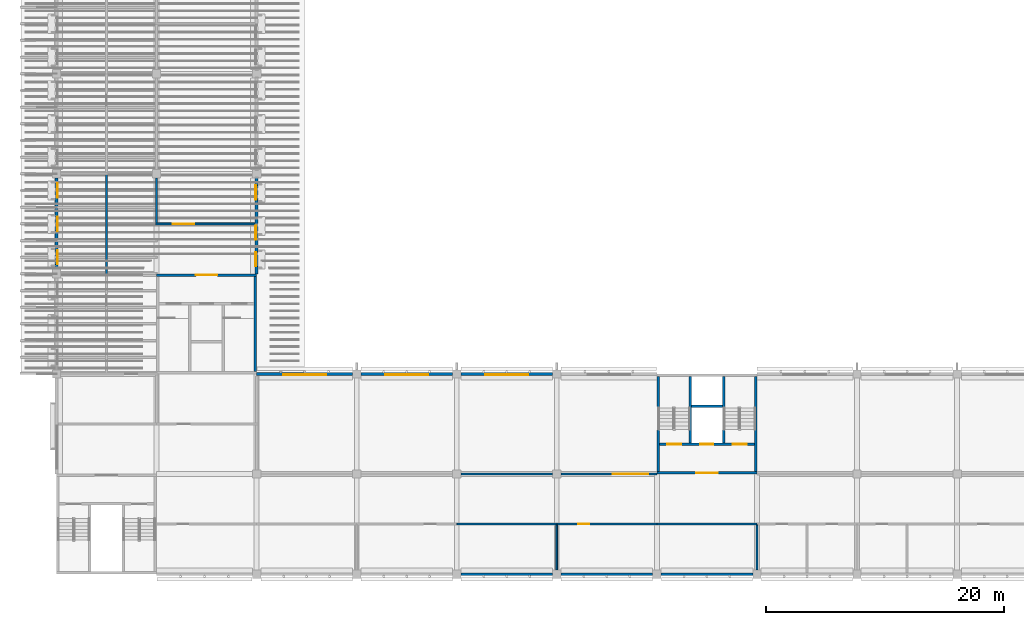
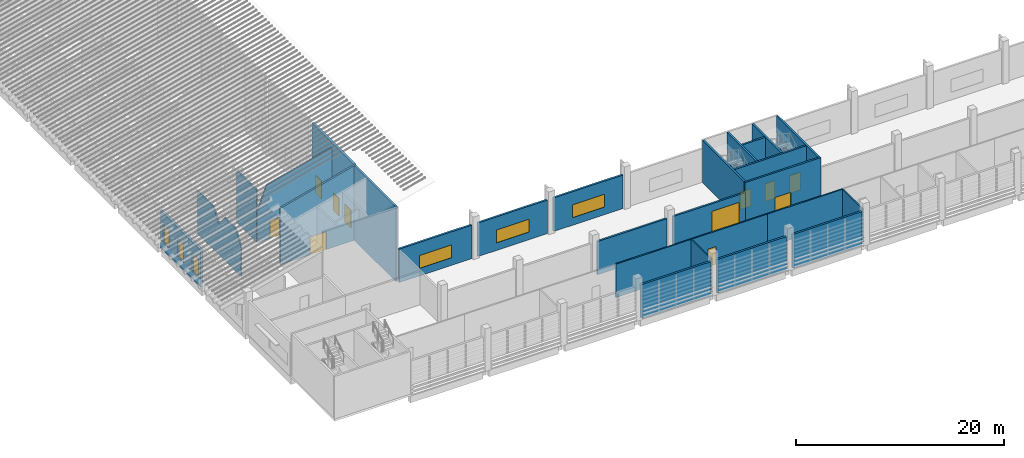
# One storey, part 18 of 82: 27 walls, 9 windows, 8 doors, 17 openings.
"""IFC4 building model written with IfcOpenShell, lengths in metres."""

from ifc_helpers import new_model, si_unit, direction, frame, frame_2d, origin, place, context, subcontext, project, spatial, polyline, rectangle, outline, extrude, material, layer, layer_set, type_object, element, fill, save


model = new_model("IFC4")

# Units and contexts
model_context = context("Model", 3, precision=1e-05, world=origin(), true_north=direction((0.0, 1.0)))
body_context = subcontext(model_context, "Body", "Model", "MODEL_VIEW")
ifc_project = project(units=[si_unit("LENGTHUNIT", "METRE"), si_unit("AREAUNIT", "SQUARE_METRE"), si_unit("VOLUMEUNIT", "CUBIC_METRE"), si_unit("PLANEANGLEUNIT", "RADIAN"), si_unit("MASSUNIT", "GRAM", prefix="KILO")], contexts=[model_context])

# Site, building, storey
site_placement = place(None, origin())
site = spatial("IfcSite", under=ifc_project, at=site_placement, CompositionType="ELEMENT")
building_placement = place(site_placement, origin())
building = spatial("IfcBuilding", under=site, at=building_placement, Name="Almond Square Museum", CompositionType="ELEMENT")
storey_placement = place(building_placement, frame((0.0, 0.0, 20.0)))
storey = spatial("IfcBuildingStorey", under=building, at=storey_placement, Name="L03", CompositionType="ELEMENT", Elevation=20.0)

# Wall
ifc_material_1 = material(Name="Concrete blockwork 200", Category="masonry")
ifc_layer_1 = layer(ifc_material_1, 0.199951171875)
ifc_layer_set_1 = layer_set([ifc_layer_1], Name="Concrete blockwork 200")
wall_type_1 = type_object("IfcWallType", Name="Fire partition 200 blockwork", PredefinedType="PARTITIONING", material=ifc_layer_set_1)
wall_1_placement = place(storey_placement, frame((39.949951171875, 8.39990234375, 0.0), z_axis=(0.0, 0.0, 1.0), x_axis=(1.0, 0.0, 0.0)))
element("IfcWall", 1, at=wall_1_placement, inside=storey, type_object=wall_type_1, Name="L03 partition 63", PredefinedType="PARTITIONING", context=body_context, shape_type="SweptSolid", body=[
    extrude(rectangle(XDim=7.699951171875, YDim=0.199951171875, at=frame_2d((3.85009765625, 0.0))), origin(), (0.0, 0.0, 1.0), 3.89990234375),
])

# Wall, opening, door
wall_2_placement = place(storey_placement, frame((48.35009765625, 8.39990234375, 0.0), z_axis=(0.0, 0.0, 1.0), x_axis=(1.0, 0.0, 0.0)))
wall_2 = element("IfcWall", 2, at=wall_2_placement, inside=storey, type_object=wall_type_1, Name="L03 partition 64", PredefinedType="PARTITIONING", context=body_context, shape_type="SweptSolid", body=[
    extrude(rectangle(XDim=8.0498046875, YDim=0.199951171875, at=frame_2d((4.02490234375, 0.0))), origin(), (0.0, 0.0, 1.0), 3.89990234375),
])
opening_1_placement = place(wall_2_placement, frame((4.324951171875, 0.0, 0.0)))
opening_1 = element("IfcOpeningElement", 3, at=opening_1_placement, cuts=wall_2, Name="Opening D3119", PredefinedType="OPENING", context=body_context, shape_type="SweptSolid", body=[
    extrude(rectangle(XDim=3.0, YDim=3.0, at=frame_2d((1.5, 1.5))), frame((0.0, 0.10986328125, 0.0), z_axis=(0.0, -1.0, 0.0), x_axis=(1.0, 0.0, 0.0)), (0.0, 0.0, 1.0), 0.219970703125),
])
ifc_material_2 = material(Name="Steel", Category="steel")
door_type_1 = type_object("IfcDoorType", Name="Dock door 3000 x 3000 steel double", OperationType="NOTDEFINED", PredefinedType="DOOR", material=ifc_material_2)
door_1_placement = place(opening_1_placement, origin())
door_1 = element("IfcDoor", 4, at=door_1_placement, inside=storey, type_object=door_type_1, Name="L03 door Collection Store 2 to Service Corridor 2", OperationType="DOUBLE_DOOR_SINGLE_SWING", OverallHeight=3.0, OverallWidth=3.0, PredefinedType="DOOR", context=body_context, shape_type="SweptSolid", body=[
    extrude(rectangle(XDim=3.0, YDim=3.0, at=frame_2d((1.5, 1.5))), frame((0.0, 0.02490234375, 0.0), z_axis=(0.0, -1.0, 0.0), x_axis=(1.0, 0.0, 0.0)), (0.0, 0.0, 1.0), 0.050048828125),
])
fill(opening_1, door_1)

# Wall
ifc_material_3 = material(Name="Plasterboard on steel stud", Category="steel")
ifc_layer_2 = layer(ifc_material_3, 0.14990234375)
ifc_layer_set_2 = layer_set([ifc_layer_2], Name="Plasterboard on steel stud")
wall_type_2 = type_object("IfcWallType", Name="Partition 150 plasterboard on steel stud", PredefinedType="PARTITIONING", material=ifc_layer_set_2)
wall_3_placement = place(storey_placement, frame((14.39990234375, 29.47509765625, 0.0), z_axis=(0.0, 0.0, 1.0), x_axis=(0.0, 1.0, 0.0)))
element("IfcWall", 5, at=wall_3_placement, inside=storey, type_object=wall_type_2, Name="L03 partition 37", PredefinedType="PARTITIONING", context=body_context, shape_type="SweptSolid", body=[
    extrude(rectangle(XDim=3.77490234375, YDim=0.14990234375, at=frame_2d((1.887451171875, 0.0))), origin(), (0.0, 0.0, 1.0), 6.10009765625),
])

# Wall, opening, door
wall_4_placement = place(storey_placement, frame((14.324951171875, 29.39990234375, 0.0), z_axis=(0.0, 0.0, 1.0), x_axis=(1.0, 0.0, 0.0)))
wall_4 = element("IfcWall", 6, at=wall_4_placement, inside=storey, type_object=wall_type_2, Name="L03 partition 40", PredefinedType="PARTITIONING", context=body_context, shape_type="SweptSolid", body=[
    extrude(outline(polyline([(0.0, 0.0), (8.324951171875, 0.0), (8.324951171875, 8.220947265625), (7.35009765625, 8.0048828125), (1.050048828125, 6.35498046875), (0.0, 3.56201171875), (0.0, 0.0)])), frame((0.0, 0.074951171875, 0.0), z_axis=(0.0, -1.0, 0.0), x_axis=(1.0, 0.0, 0.0)), (0.0, 0.0, 1.0), 0.14990234375),
])
opening_2_placement = place(wall_4_placement, frame((1.4375, 0.0, 0.0)))
opening_2 = element("IfcOpeningElement", 7, at=opening_2_placement, cuts=wall_4, Name="Opening D3112", PredefinedType="OPENING", context=body_context, shape_type="SweptSolid", body=[
    extrude(rectangle(XDim=1.800048828125, YDim=2.10009765625, at=frame_2d((0.89990234375, 1.050048828125))), frame((0.0, 0.0849609375, 0.0), z_axis=(0.0, -1.0, 0.0), x_axis=(1.0, 0.0, 0.0)), (0.0, 0.0, 1.0), 0.169921875),
])
ifc_material_4 = material(Name="Timber", Category="wood")
door_type_2 = type_object("IfcDoorType", Name="Door 1800 x 2100 timber double", OperationType="NOTDEFINED", PredefinedType="DOOR", material=ifc_material_4)
door_2_placement = place(opening_2_placement, origin())
door_2 = element("IfcDoor", 8, at=door_2_placement, inside=storey, type_object=door_type_2, Name="L03 door Open Plan Staff Office to Wing Corridor", OperationType="DOUBLE_DOOR_SINGLE_SWING", OverallHeight=2.10009765625, OverallWidth=1.800048828125, PredefinedType="DOOR", context=body_context, shape_type="SweptSolid", body=[
    extrude(rectangle(XDim=1.800048828125, YDim=2.10009765625, at=frame_2d((0.89990234375, 1.050048828125))), frame((0.0, 0.02490234375, 0.0), z_axis=(0.0, -1.0, 0.0), x_axis=(1.0, 0.0, 0.0)), (0.0, 0.0, 1.0), 0.050048828125),
])
fill(opening_2, door_2)

# Walls
wall_5_placement = place(storey_placement, frame((10.199951171875, 25.199951171875, 0.0), z_axis=(0.0, 0.0, 1.0), x_axis=(0.0, 1.0, 0.0)))
element("IfcWall", 9, at=wall_5_placement, inside=storey, type_object=wall_type_2, Name="L03 partition 42", PredefinedType="PARTITIONING", context=body_context, shape_type="SweptSolid", body=[
    extrude(outline(polyline([(0.0, 0.0), (8.324951171875, 0.0), (8.324951171875, 5.0), (5.25, 5.0), (4.199951171875, 3.56201171875), (3.14990234375, 5.0), (1.050048828125, 5.0), (0.0, 3.56201171875), (0.0, 0.0)])), frame((0.0, 0.074951171875, 0.0), z_axis=(0.0, -1.0, 0.0), x_axis=(1.0, 0.0, 0.0)), (0.0, 0.0, 1.0), 0.14990234375),
])
wall_6_placement = place(storey_placement, frame((39.60009765625, 4.199951171875, 0.0), z_axis=(0.0, 0.0, 1.0), x_axis=(1.0, 0.0, 0.0)))
element("IfcWall", 10, at=wall_6_placement, inside=storey, type_object=wall_type_2, Name="L03 partition 83", PredefinedType="PARTITIONING", context=body_context, shape_type="SweptSolid", body=[
    extrude(rectangle(XDim=8.39990234375, YDim=0.14990234375, at=frame_2d((4.199951171875, 0.0))), origin(), (0.0, 0.0, 1.0), 3.89990234375),
])

# Wall, opening, door
wall_7_placement = place(storey_placement, frame((48.0, 4.199951171875, 0.0), z_axis=(0.0, 0.0, 1.0), x_axis=(1.0, 0.0, 0.0)))
wall_7 = element("IfcWall", 11, at=wall_7_placement, inside=storey, type_object=wall_type_2, Name="L03 partition 84", PredefinedType="PARTITIONING", context=body_context, shape_type="SweptSolid", body=[
    extrude(rectangle(XDim=8.39990234375, YDim=0.14990234375, at=frame_2d((4.199951171875, 0.0))), origin(), (0.0, 0.0, 1.0), 3.89990234375),
])
opening_3_placement = place(wall_7_placement, frame((1.8125, 0.0, 0.0)))
opening_3 = element("IfcOpeningElement", 12, at=opening_3_placement, cuts=wall_7, Name="Opening D3123", PredefinedType="OPENING", context=body_context, shape_type="SweptSolid", body=[
    extrude(rectangle(XDim=0.89990234375, YDim=2.10009765625, at=frame_2d((0.449951171875, 1.050048828125))), frame((0.0, 0.0849609375, 0.0), z_axis=(0.0, -1.0, 0.0), x_axis=(1.0, 0.0, 0.0)), (0.0, 0.0, 1.0), 0.169921875),
])
ifc_material_5 = material(Name="Timber", Category="wood")
door_type_3 = type_object("IfcDoorType", Name="Door 900 x 2100 timber single", OperationType="NOTDEFINED", PredefinedType="DOOR", material=ifc_material_5)
door_3_placement = place(opening_3_placement, origin())
door_3 = element("IfcDoor", 13, at=door_3_placement, inside=storey, type_object=door_type_3, Name="L03 door Education Office to Service Corridor 2", OperationType="SINGLE_SWING_RIGHT", OverallHeight=2.10009765625, OverallWidth=0.89990234375, PredefinedType="DOOR", context=body_context, shape_type="SweptSolid", body=[
    extrude(rectangle(XDim=0.89990234375, YDim=2.10009765625, at=frame_2d((0.449951171875, 1.050048828125))), frame((0.0, 0.02490234375, 0.0), z_axis=(0.0, -1.0, 0.0), x_axis=(1.0, 0.0, 0.0)), (0.0, 0.0, 1.0), 0.050048828125),
])
fill(opening_3, door_3)

# Walls
wall_8_placement = place(storey_placement, frame((56.39990234375, 4.199951171875, 0.0), z_axis=(0.0, 0.0, 1.0), x_axis=(1.0, 0.0, 0.0)))
element("IfcWall", 14, at=wall_8_placement, inside=storey, type_object=wall_type_2, Name="L03 partition 85", PredefinedType="PARTITIONING", context=body_context, shape_type="SweptSolid", body=[
    extrude(rectangle(XDim=8.400146484375, YDim=0.14990234375, at=frame_2d((4.2001953125, 0.0))), origin(), (0.0, 0.0, 1.0), 3.89990234375),
])
for number, where, z_axis, x_axis, name in (
    (15, (48.0, 0.35009765625, 0.0), (0.0, 0.0, 1.0), (0.0, 1.0, 0.0), "L03 partition 90"),
    (16, (64.800048828125, 0.35009765625, 0.0), (0.0, 0.0, 1.0), (0.0, 1.0, 0.0), "L03 partition 91"),
):
    element("IfcWall", number, at=place(storey_placement, frame(where, z_axis=z_axis, x_axis=x_axis)), inside=storey, type_object=wall_type_2, Name=name, PredefinedType="PARTITIONING", context=body_context, shape_type="SweptSolid", body=[
        extrude(rectangle(XDim=3.77490234375, YDim=0.14990234375, at=frame_2d((1.887451171875, 0.0))), origin(), (0.0, 0.0, 1.0), 3.89990234375),
    ])

# Wall, openings, windows
ifc_material_6 = material(Name="Precast concrete C40/50", Category="concrete")
ifc_layer_3 = layer(ifc_material_6, 0.25)
ifc_layer_set_3 = layer_set([ifc_layer_3], Name="Precast concrete C40/50")
wall_type_3 = type_object("IfcWallType", Name="Precast concrete panel wall 250 with coral limestone piers", PredefinedType="SOLIDWALL", material=ifc_layer_set_3)
wall_9_placement = place(storey_placement, frame((22.800048828125, 25.199951171875, 0.0), z_axis=(0.0, 0.0, 1.0), x_axis=(0.0, 1.0, 0.0)))
wall_9 = element("IfcWall", 17, at=wall_9_placement, inside=storey, type_object=wall_type_3, Name="External wall W2 V4W L03 E01", PredefinedType="SOLIDWALL", context=body_context, shape_type="SweptSolid", body=[
    extrude(rectangle(XDim=8.050048828125, YDim=0.25, at=frame_2d((4.02490234375, 0.0))), origin(), (0.0, 0.0, 1.0), 8.74560546875),
])
opening_4_placement = place(wall_9_placement, frame((0.625, 0.0, 0.89990234375)))
opening_4 = element("IfcOpeningElement", 18, at=opening_4_placement, cuts=wall_9, Name="Opening W3017", PredefinedType="OPENING", context=body_context, shape_type="SweptSolid", body=[
    extrude(rectangle(XDim=1.199951171875, YDim=2.10009765625, at=frame_2d((0.60009765625, 1.050048828125))), frame((0.0, 0.135009765625, 0.0), z_axis=(0.0, -1.0, 0.0), x_axis=(1.0, 0.0, 0.0)), (0.0, 0.0, 1.0), 0.27001953125),
])
opening_5_placement = place(wall_9_placement, frame((2.85009765625, 0.0, 0.89990234375)))
opening_5 = element("IfcOpeningElement", 19, at=opening_5_placement, cuts=wall_9, Name="Opening W3018", PredefinedType="OPENING", context=body_context, shape_type="SweptSolid", body=[
    extrude(rectangle(XDim=1.199951171875, YDim=2.10009765625, at=frame_2d((0.60009765625, 1.050048828125))), frame((0.0, 0.135009765625, 0.0), z_axis=(0.0, -1.0, 0.0), x_axis=(1.0, 0.0, 0.0)), (0.0, 0.0, 1.0), 0.27001953125),
])
opening_6_placement = place(wall_9_placement, frame((6.22509765625, 0.0, 0.89990234375)))
opening_6 = element("IfcOpeningElement", 20, at=opening_6_placement, cuts=wall_9, Name="Opening W3019", PredefinedType="OPENING", context=body_context, shape_type="SweptSolid", body=[
    extrude(rectangle(XDim=1.199951171875, YDim=2.10009765625, at=frame_2d((0.60009765625, 1.050048828125))), frame((0.0, 0.135009765625, 0.0), z_axis=(0.0, -1.0, 0.0), x_axis=(1.0, 0.0, 0.0)), (0.0, 0.0, 1.0), 0.27001953125),
])
ifc_material_7 = material(Name="Anodised aluminium louvre and laminated glass", Category="aluminium")
window_type_1 = type_object("IfcWindowType", Name="Louvred pier window", PartitioningType="SINGLE_PANEL", PredefinedType="WINDOW", material=ifc_material_7)
window_1_placement = place(opening_4_placement, origin())
window_1 = element("IfcWindow", 21, at=window_1_placement, inside=storey, type_object=window_type_1, Name="Louvred pier window W3017", OverallHeight=2.10009765625, OverallWidth=1.199951171875, PartitioningType="SINGLE_PANEL", PredefinedType="WINDOW", context=body_context, shape_type="SweptSolid", body=[
    extrude(rectangle(XDim=1.199951171875, YDim=2.10009765625, at=frame_2d((0.60009765625, 1.050048828125))), frame((0.0, 0.10498046875, 0.0), z_axis=(0.0, -1.0, 0.0), x_axis=(1.0, 0.0, 0.0)), (0.0, 0.0, 1.0), 0.06005859375),
])
fill(opening_4, window_1)
window_2_placement = place(opening_5_placement, origin())
window_2 = element("IfcWindow", 22, at=window_2_placement, inside=storey, type_object=window_type_1, Name="Louvred pier window W3018", OverallHeight=2.10009765625, OverallWidth=1.199951171875, PartitioningType="SINGLE_PANEL", PredefinedType="WINDOW", context=body_context, shape_type="SweptSolid", body=[
    extrude(rectangle(XDim=1.199951171875, YDim=2.10009765625, at=frame_2d((0.60009765625, 1.050048828125))), frame((0.0, 0.10498046875, 0.0), z_axis=(0.0, -1.0, 0.0), x_axis=(1.0, 0.0, 0.0)), (0.0, 0.0, 1.0), 0.06005859375),
])
fill(opening_5, window_2)
window_3_placement = place(opening_6_placement, origin())
window_3 = element("IfcWindow", 23, at=window_3_placement, inside=storey, type_object=window_type_1, Name="Louvred pier window W3019", OverallHeight=2.10009765625, OverallWidth=1.199951171875, PartitioningType="SINGLE_PANEL", PredefinedType="WINDOW", context=body_context, shape_type="SweptSolid", body=[
    extrude(rectangle(XDim=1.199951171875, YDim=2.10009765625, at=frame_2d((0.60009765625, 1.050048828125))), frame((0.0, 0.10498046875, 0.0), z_axis=(0.0, -1.0, 0.0), x_axis=(1.0, 0.0, 0.0)), (0.0, 0.0, 1.0), 0.06005859375),
])
fill(opening_6, window_3)

wall_10_placement = place(storey_placement, frame((6.0, 25.550048828125, 0.0), z_axis=(0.0, 0.0, 1.0), x_axis=(0.0, 1.0, 0.0)))
wall_10 = element("IfcWall", 24, at=wall_10_placement, inside=storey, type_object=wall_type_3, Name="External wall W2 V4W L03 W06", PredefinedType="SOLIDWALL", context=body_context, shape_type="SweptSolid", body=[
    extrude(rectangle(XDim=7.699951171875, YDim=0.25, at=frame_2d((3.85009765625, 0.0))), origin(), (0.0, 0.0, 1.0), 4.345703125),
])
opening_7_placement = place(wall_10_placement, frame((0.449951171875, 0.0, 0.89990234375)))
opening_7 = element("IfcOpeningElement", 25, at=opening_7_placement, cuts=wall_10, Name="Opening W3050", PredefinedType="OPENING", context=body_context, shape_type="SweptSolid", body=[
    extrude(rectangle(XDim=1.199951171875, YDim=2.10009765625, at=frame_2d((0.60009765625, 1.050048828125))), frame((0.0, 0.135009765625, 0.0), z_axis=(0.0, -1.0, 0.0), x_axis=(1.0, 0.0, 0.0)), (0.0, 0.0, 1.0), 0.27001953125),
])
opening_8_placement = place(wall_10_placement, frame((3.25, 0.0, 0.89990234375)))
opening_8 = element("IfcOpeningElement", 26, at=opening_8_placement, cuts=wall_10, Name="Opening W3051", PredefinedType="OPENING", context=body_context, shape_type="SweptSolid", body=[
    extrude(rectangle(XDim=1.199951171875, YDim=2.10009765625, at=frame_2d((0.60009765625, 1.050048828125))), frame((0.0, 0.135009765625, 0.0), z_axis=(0.0, -1.0, 0.0), x_axis=(1.0, 0.0, 0.0)), (0.0, 0.0, 1.0), 0.27001953125),
])
opening_9_placement = place(wall_10_placement, frame((6.050048828125, 0.0, 0.89990234375)))
opening_9 = element("IfcOpeningElement", 27, at=opening_9_placement, cuts=wall_10, Name="Opening W3052", PredefinedType="OPENING", context=body_context, shape_type="SweptSolid", body=[
    extrude(rectangle(XDim=1.199951171875, YDim=2.10009765625, at=frame_2d((0.60009765625, 1.050048828125))), frame((0.0, 0.135009765625, 0.0), z_axis=(0.0, -1.0, 0.0), x_axis=(1.0, 0.0, 0.0)), (0.0, 0.0, 1.0), 0.27001953125),
])
window_4_placement = place(opening_7_placement, origin())
window_4 = element("IfcWindow", 28, at=window_4_placement, inside=storey, type_object=window_type_1, Name="Louvred pier window W3050", OverallHeight=2.10009765625, OverallWidth=1.199951171875, PartitioningType="SINGLE_PANEL", PredefinedType="WINDOW", context=body_context, shape_type="SweptSolid", body=[
    extrude(rectangle(XDim=1.199951171875, YDim=2.10009765625, at=frame_2d((0.60009765625, 1.050048828125))), frame((0.0, -0.044921875, 0.0), z_axis=(0.0, -1.0, 0.0), x_axis=(1.0, 0.0, 0.0)), (0.0, 0.0, 1.0), 0.06005859375),
])
fill(opening_7, window_4)
window_5_placement = place(opening_8_placement, origin())
window_5 = element("IfcWindow", 29, at=window_5_placement, inside=storey, type_object=window_type_1, Name="Louvred pier window W3051", OverallHeight=2.10009765625, OverallWidth=1.199951171875, PartitioningType="SINGLE_PANEL", PredefinedType="WINDOW", context=body_context, shape_type="SweptSolid", body=[
    extrude(rectangle(XDim=1.199951171875, YDim=2.10009765625, at=frame_2d((0.60009765625, 1.050048828125))), frame((0.0, -0.044921875, 0.0), z_axis=(0.0, -1.0, 0.0), x_axis=(1.0, 0.0, 0.0)), (0.0, 0.0, 1.0), 0.06005859375),
])
fill(opening_8, window_5)
window_6_placement = place(opening_9_placement, origin())
window_6 = element("IfcWindow", 30, at=window_6_placement, inside=storey, type_object=window_type_1, Name="Louvred pier window W3052", OverallHeight=2.10009765625, OverallWidth=1.199951171875, PartitioningType="SINGLE_PANEL", PredefinedType="WINDOW", context=body_context, shape_type="SweptSolid", body=[
    extrude(rectangle(XDim=1.199951171875, YDim=2.10009765625, at=frame_2d((0.60009765625, 1.050048828125))), frame((0.0, -0.044921875, 0.0), z_axis=(0.0, -1.0, 0.0), x_axis=(1.0, 0.0, 0.0)), (0.0, 0.0, 1.0), 0.06005859375),
])
fill(opening_9, window_6)

# Wall, opening, door
ifc_material_8 = material(Name="Concrete C40/50", Category="concrete")
ifc_layer_4 = layer(ifc_material_8, 0.199951171875)
ifc_layer_set_4 = layer_set([ifc_layer_4], Name="Concrete C40/50")
wall_type_4 = type_object("IfcWallType", Name="RC shear wall 200 C40/50", PredefinedType="SHEAR", material=ifc_layer_set_4)
wall_11_placement = place(storey_placement, frame((14.39990234375, 25.10009765625, 0.0), z_axis=(0.0, 0.0, 1.0), x_axis=(1.0, 0.0, 0.0)))
wall_11 = element("IfcWall", 31, at=wall_11_placement, inside=storey, type_object=wall_type_4, Name="Core W1 north wall L03", PredefinedType="SHEAR", context=body_context, shape_type="SweptSolid", body=[
    extrude(outline(polyline([(0.0, 0.0), (8.400146484375, 0.0), (8.39990234375, 8.800048828125), (7.531005859375, 8.572021484375), (7.241455078125, 8.4970703125), (5.50341796875, 8.041015625), (5.2138671875, 7.966064453125), (3.186279296875, 7.43408203125), (2.896484375, 7.35888671875), (1.15869140625, 6.903076171875), (0.868896484375, 6.827880859375), (0.0, 6.60009765625), (0.0, 0.0)])), frame((0.0, 0.10009765625, 0.0), z_axis=(0.0, -1.0, 0.0), x_axis=(1.0, 0.0, 0.0)), (0.0, 0.0, 1.0), 0.199951171875),
])
opening_10_placement = place(wall_11_placement, frame((3.300048828125, 0.0, 0.0)))
opening_10 = element("IfcOpeningElement", 32, at=opening_10_placement, cuts=wall_11, Name="Opening D3164", PredefinedType="OPENING", context=body_context, shape_type="SweptSolid", body=[
    extrude(rectangle(XDim=1.800048828125, YDim=2.10009765625, at=frame_2d((0.89990234375, 1.050048828125))), frame((0.0, 0.10986328125, 0.0), z_axis=(0.0, -1.0, 0.0), x_axis=(1.0, 0.0, 0.0)), (0.0, 0.0, 1.0), 0.219970703125),
])
ifc_material_9 = material(Name="Steel", Category="steel")
door_type_4 = type_object("IfcDoorType", Name="Fire door 1800 x 2100 FD60 double", OperationType="NOTDEFINED", PredefinedType="DOOR", material=ifc_material_9)
door_4_placement = place(opening_10_placement, origin())
door_4 = element("IfcDoor", 33, at=door_4_placement, inside=storey, type_object=door_type_4, Name="L03 stair core W1 lobby door", OperationType="DOUBLE_DOOR_SINGLE_SWING", OverallHeight=2.10009765625, OverallWidth=1.800048828125, PredefinedType="DOOR", context=body_context, shape_type="SweptSolid", body=[
    extrude(rectangle(XDim=1.800048828125, YDim=2.10009765625, at=frame_2d((0.89990234375, 1.050048828125))), frame((0.0, 0.02490234375, 0.0), z_axis=(0.0, -1.0, 0.0), x_axis=(1.0, 0.0, 0.0)), (0.0, 0.0, 1.0), 0.050048828125),
])
fill(opening_10, door_4)

# Wall
wall_12_placement = place(storey_placement, frame((22.699951171875, 17.0, 0.0), z_axis=(0.0, 0.0, 1.0), x_axis=(0.0, 1.0, 0.0)))
element("IfcWall", 34, at=wall_12_placement, inside=storey, type_object=wall_type_4, Name="Core W1 east wall L03", PredefinedType="SHEAR", context=body_context, shape_type="SweptSolid", body=[
    extrude(rectangle(XDim=8.0, YDim=0.199951171875, at=frame_2d((4.0, 0.0))), origin(), (0.0, 0.0, 1.0), 8.77490234375),
])

# Wall, opening, door
wall_13_placement = place(storey_placement, frame((56.39990234375, 8.5, 0.0), z_axis=(0.0, 0.0, 1.0), x_axis=(1.0, 0.0, 0.0)))
wall_13 = element("IfcWall", 35, at=wall_13_placement, inside=storey, type_object=wall_type_4, Name="Core S2 south wall L03", PredefinedType="SHEAR", context=body_context, shape_type="SweptSolid", body=[
    extrude(rectangle(XDim=8.400146484375, YDim=0.199951171875, at=frame_2d((4.2001953125, 0.0))), origin(), (0.0, 0.0, 1.0), 5.0),
])
opening_11_placement = place(wall_13_placement, frame((3.300048828125, 0.0, 0.0)))
opening_11 = element("IfcOpeningElement", 36, at=opening_11_placement, cuts=wall_13, Name="Opening D3174", PredefinedType="OPENING", context=body_context, shape_type="SweptSolid", body=[
    extrude(rectangle(XDim=1.800048828125, YDim=2.10009765625, at=frame_2d((0.89990234375, 1.050048828125))), frame((0.0, 0.10986328125, 0.0), z_axis=(0.0, -1.0, 0.0), x_axis=(1.0, 0.0, 0.0)), (0.0, 0.0, 1.0), 0.219970703125),
])
door_5_placement = place(opening_11_placement, origin())
door_5 = element("IfcDoor", 37, at=door_5_placement, inside=storey, type_object=door_type_4, Name="L03 stair core S2 lobby door", OperationType="DOUBLE_DOOR_SINGLE_SWING", OverallHeight=2.10009765625, OverallWidth=1.800048828125, PredefinedType="DOOR", context=body_context, shape_type="SweptSolid", body=[
    extrude(rectangle(XDim=1.800048828125, YDim=2.10009765625, at=frame_2d((0.89990234375, 1.050048828125))), frame((0.0, 0.02490234375, 0.0), z_axis=(0.0, -1.0, 0.0), x_axis=(1.0, 0.0, 0.0)), (0.0, 0.0, 1.0), 0.050048828125),
])
fill(opening_11, door_5)

# Walls
for number, where, z_axis, x_axis, name in (
    (38, (56.5, 8.60009765625, 0.0), (0.0, 0.0, 1.0), (0.0, 1.0, 0.0), "Core S2 west wall L03"),
    (39, (64.699951171875, 8.60009765625, 0.0), (0.0, 0.0, 1.0), (0.0, 1.0, 0.0), "Core S2 east wall L03"),
):
    element("IfcWall", number, at=place(storey_placement, frame(where, z_axis=z_axis, x_axis=x_axis)), inside=storey, type_object=wall_type_4, Name=name, PredefinedType="SHEAR", context=body_context, shape_type="SweptSolid", body=[
        extrude(rectangle(XDim=8.0, YDim=0.199951171875, at=frame_2d((4.0, 0.0))), origin(), (0.0, 0.0, 1.0), 5.0),
    ])

# Wall, openings, doors
wall_14_placement = place(storey_placement, frame((56.60009765625, 10.89990234375, 0.0), z_axis=(0.0, 0.0, 1.0), x_axis=(1.0, 0.0, 0.0)))
wall_14 = element("IfcWall", 40, at=wall_14_placement, inside=storey, type_object=wall_type_4, Name="Core S2 lobby wall L03", PredefinedType="SHEAR", context=body_context, shape_type="SweptSolid", body=[
    extrude(rectangle(XDim=8.0, YDim=0.199951171875, at=frame_2d((4.0, 0.0))), origin(), (0.0, 0.0, 1.0), 5.0),
])
opening_12_placement = place(wall_14_placement, frame((0.64990234375, 0.0, 0.0)))
opening_12 = element("IfcOpeningElement", 41, at=opening_12_placement, cuts=wall_14, Name="Opening D3175", PredefinedType="OPENING", context=body_context, shape_type="SweptSolid", body=[
    extrude(rectangle(XDim=1.199951171875, YDim=2.10009765625, at=frame_2d((0.60009765625, 1.050048828125))), frame((0.0, 0.10986328125, 0.0), z_axis=(0.0, -1.0, 0.0), x_axis=(1.0, 0.0, 0.0)), (0.0, 0.0, 1.0), 0.219970703125),
])
opening_13_placement = place(wall_14_placement, frame((6.14990234375, 0.0, 0.0)))
opening_13 = element("IfcOpeningElement", 42, at=opening_13_placement, cuts=wall_14, Name="Opening D3176", PredefinedType="OPENING", context=body_context, shape_type="SweptSolid", body=[
    extrude(rectangle(XDim=1.199951171875, YDim=2.10009765625, at=frame_2d((0.60009765625, 1.050048828125))), frame((0.0, 0.10986328125, 0.0), z_axis=(0.0, -1.0, 0.0), x_axis=(1.0, 0.0, 0.0)), (0.0, 0.0, 1.0), 0.219970703125),
])
opening_14_placement = place(wall_14_placement, frame((3.449951171875, 0.0, 0.0)))
opening_14 = element("IfcOpeningElement", 43, at=opening_14_placement, cuts=wall_14, Name="Opening D3177", PredefinedType="OPENING", context=body_context, shape_type="SweptSolid", body=[
    extrude(rectangle(XDim=1.10009765625, YDim=2.10009765625, at=frame_2d((0.550048828125, 1.050048828125))), frame((0.0, 0.10986328125, 0.0), z_axis=(0.0, -1.0, 0.0), x_axis=(1.0, 0.0, 0.0)), (0.0, 0.0, 1.0), 0.219970703125),
])
ifc_material_10 = material(Name="Steel", Category="steel")
door_type_5 = type_object("IfcDoorType", Name="Fire door 1200 x 2100 FD120 stair", OperationType="NOTDEFINED", PredefinedType="DOOR", material=ifc_material_10)
door_6_placement = place(opening_12_placement, origin())
door_6 = element("IfcDoor", 44, at=door_6_placement, inside=storey, type_object=door_type_5, Name="L03 stair S2-1 door", OperationType="SINGLE_SWING_LEFT", OverallHeight=2.10009765625, OverallWidth=1.199951171875, PredefinedType="DOOR", context=body_context, shape_type="SweptSolid", body=[
    extrude(rectangle(XDim=1.199951171875, YDim=2.10009765625, at=frame_2d((0.60009765625, 1.050048828125))), frame((0.0, 0.02490234375, 0.0), z_axis=(0.0, -1.0, 0.0), x_axis=(1.0, 0.0, 0.0)), (0.0, 0.0, 1.0), 0.050048828125),
])
fill(opening_12, door_6)
door_7_placement = place(opening_13_placement, origin())
door_7 = element("IfcDoor", 45, at=door_7_placement, inside=storey, type_object=door_type_5, Name="L03 stair S2-2 door", OperationType="SINGLE_SWING_RIGHT", OverallHeight=2.10009765625, OverallWidth=1.199951171875, PredefinedType="DOOR", context=body_context, shape_type="SweptSolid", body=[
    extrude(rectangle(XDim=1.199951171875, YDim=2.10009765625, at=frame_2d((0.60009765625, 1.050048828125))), frame((0.0, 0.02490234375, 0.0), z_axis=(0.0, -1.0, 0.0), x_axis=(1.0, 0.0, 0.0)), (0.0, 0.0, 1.0), 0.050048828125),
])
fill(opening_13, door_7)
ifc_material_11 = material(Name="Stainless steel", Category="steel")
door_type_6 = type_object("IfcDoorType", Name="Lift landing door 1100 x 2100", OperationType="NOTDEFINED", PredefinedType="DOOR", material=ifc_material_11)
door_8_placement = place(opening_14_placement, origin())
door_8 = element("IfcDoor", 46, at=door_8_placement, inside=storey, type_object=door_type_6, Name="L03 lift PL-S2 landing door", OperationType="DOUBLE_DOOR_SLIDING", OverallHeight=2.10009765625, OverallWidth=1.10009765625, PredefinedType="DOOR", context=body_context, shape_type="SweptSolid", body=[
    extrude(rectangle(XDim=1.10009765625, YDim=2.10009765625, at=frame_2d((0.550048828125, 1.050048828125))), frame((0.0, 0.02490234375, 0.0), z_axis=(0.0, -1.0, 0.0), x_axis=(1.0, 0.0, 0.0)), (0.0, 0.0, 1.0), 0.050048828125),
])
fill(opening_14, door_8)

# Walls
for number, where, z_axis, x_axis, name in (
    (47, (59.199951171875, 11.0, 0.0), (0.0, 0.0, 1.0), (0.0, 1.0, 0.0), "Core S2 partition wall L03"),
    (48, (62.0, 11.0, 0.0), (0.0, 0.0, 1.0), (0.0, 1.0, 0.0), "Core S2 partition wall L03"),
):
    element("IfcWall", number, at=place(storey_placement, frame(where, z_axis=z_axis, x_axis=x_axis)), inside=storey, type_object=wall_type_4, Name=name, PredefinedType="SHEAR", context=body_context, shape_type="SweptSolid", body=[
        extrude(rectangle(XDim=5.60009765625, YDim=0.199951171875, at=frame_2d((2.800048828125, 0.0))), origin(), (0.0, 0.0, 1.0), 5.0),
    ])
wall_15_placement = place(storey_placement, frame((59.300048828125, 14.10009765625, 0.0), z_axis=(0.0, 0.0, 1.0), x_axis=(1.0, 0.0, 0.0)))
element("IfcWall", 49, at=wall_15_placement, inside=storey, type_object=wall_type_4, Name="Core S2 partition wall L03", PredefinedType="SHEAR", context=body_context, shape_type="SweptSolid", body=[
    extrude(rectangle(XDim=2.599853515625, YDim=0.199951171875, at=frame_2d((1.2998046875, 0.0))), origin(), (0.0, 0.0, 1.0), 5.0),
])
ifc_material_12 = material(Name="Concrete C30/37", Category="concrete")
ifc_layer_5 = layer(ifc_material_12, 0.219970703125)
ifc_layer_set_5 = layer_set([ifc_layer_5], Name="Concrete C30/37")
wall_type_5 = type_object("IfcWallType", Name="Stucco panel wall 220 with insulation", PredefinedType="SOLIDWALL", material=ifc_layer_set_5)
for number, where, z_axis, x_axis, name in (
    (50, (39.949951171875, 0.0, 0.0), (0.0, 0.0, 1.0), (1.0, 0.0, 0.0), "External wall W4 V5S L03 S04"),
    (51, (48.35009765625, 0.0, 0.0), (0.0, 0.0, 1.0), (1.0, 0.0, 0.0), "External wall W4 V5S L03 S05"),
    (52, (56.75, 0.0, 0.0), (0.0, 0.0, 1.0), (1.0, 0.0, 0.0), "External wall W4 V5S L03 S06"),
):
    element("IfcWall", number, at=place(storey_placement, frame(where, z_axis=z_axis, x_axis=x_axis)), inside=storey, type_object=wall_type_5, Name=name, PredefinedType="SOLIDWALL", context=body_context, shape_type="SweptSolid", body=[
        extrude(rectangle(XDim=7.699951171875, YDim=0.219970703125, at=frame_2d((3.85009765625, 0.0))), origin(), (0.0, 0.0, 1.0), 3.93994140625),
    ])

# Wall, opening, window
wall_16_placement = place(storey_placement, frame((39.949951171875, 16.800048828125, 0.0), z_axis=(0.0, 0.0, 1.0), x_axis=(1.0, 0.0, 0.0)))
wall_16 = element("IfcWall", 53, at=wall_16_placement, inside=storey, type_object=wall_type_5, Name="External wall W4 V5S L03 N09", PredefinedType="SOLIDWALL", context=body_context, shape_type="SweptSolid", body=[
    extrude(rectangle(XDim=7.699951171875, YDim=0.219970703125, at=frame_2d((3.85009765625, 0.0))), origin(), (0.0, 0.0, 1.0), 3.93994140625),
])
opening_15_placement = place(wall_16_placement, frame((2.050048828125, 0.0, 0.89990234375)))
opening_15 = element("IfcOpeningElement", 54, at=opening_15_placement, cuts=wall_16, Name="Opening W3014", PredefinedType="OPENING", context=body_context, shape_type="SweptSolid", body=[
    extrude(rectangle(XDim=3.60009765625, YDim=1.5, at=frame_2d((1.800048828125, 0.75))), frame((0.0, 0.119873046875, 0.0), z_axis=(0.0, -1.0, 0.0), x_axis=(1.0, 0.0, 0.0)), (0.0, 0.0, 1.0), 0.239990234375),
])
ifc_material_13 = material(Name="Aluminium frame and laminated glass", Category="aluminium")
window_type_2 = type_object("IfcWindowType", Name="Office ribbon window", PartitioningType="SINGLE_PANEL", PredefinedType="WINDOW", material=ifc_material_13)
window_7_placement = place(opening_15_placement, origin())
window_7 = element("IfcWindow", 55, at=window_7_placement, inside=storey, type_object=window_type_2, Name="Office ribbon window W3014", OverallHeight=1.5, OverallWidth=3.60009765625, PartitioningType="DOUBLE_PANEL_VERTICAL", PredefinedType="WINDOW", context=body_context, shape_type="SweptSolid", body=[
    extrude(rectangle(XDim=3.60009765625, YDim=1.5, at=frame_2d((1.800048828125, 0.75))), frame((0.0, -0.030029296875, 0.0), z_axis=(0.0, -1.0, 0.0), x_axis=(1.0, 0.0, 0.0)), (0.0, 0.0, 1.0), 0.06005859375),
])
fill(opening_15, window_7)

wall_17_placement = place(storey_placement, frame((31.550048828125, 16.800048828125, 0.0), z_axis=(0.0, 0.0, 1.0), x_axis=(1.0, 0.0, 0.0)))
wall_17 = element("IfcWall", 56, at=wall_17_placement, inside=storey, type_object=wall_type_5, Name="External wall W4 V5S L03 N10", PredefinedType="SOLIDWALL", context=body_context, shape_type="SweptSolid", body=[
    extrude(rectangle(XDim=7.699951171875, YDim=0.219970703125, at=frame_2d((3.85009765625, 0.0))), origin(), (0.0, 0.0, 1.0), 3.93994140625),
])
opening_16_placement = place(wall_17_placement, frame((2.050048828125, 0.0, 0.89990234375)))
opening_16 = element("IfcOpeningElement", 57, at=opening_16_placement, cuts=wall_17, Name="Opening W3015", PredefinedType="OPENING", context=body_context, shape_type="SweptSolid", body=[
    extrude(rectangle(XDim=3.60009765625, YDim=1.5, at=frame_2d((1.800048828125, 0.75))), frame((0.0, 0.119873046875, 0.0), z_axis=(0.0, -1.0, 0.0), x_axis=(1.0, 0.0, 0.0)), (0.0, 0.0, 1.0), 0.239990234375),
])
window_8_placement = place(opening_16_placement, origin())
window_8 = element("IfcWindow", 58, at=window_8_placement, inside=storey, type_object=window_type_2, Name="Office ribbon window W3015", OverallHeight=1.5, OverallWidth=3.60009765625, PartitioningType="DOUBLE_PANEL_VERTICAL", PredefinedType="WINDOW", context=body_context, shape_type="SweptSolid", body=[
    extrude(rectangle(XDim=3.60009765625, YDim=1.5, at=frame_2d((1.800048828125, 0.75))), frame((0.0, -0.030029296875, 0.0), z_axis=(0.0, -1.0, 0.0), x_axis=(1.0, 0.0, 0.0)), (0.0, 0.0, 1.0), 0.06005859375),
])
fill(opening_16, window_8)

wall_18_placement = place(storey_placement, frame((22.800048828125, 16.800048828125, 0.0), z_axis=(0.0, 0.0, 1.0), x_axis=(1.0, 0.0, 0.0)))
wall_18 = element("IfcWall", 59, at=wall_18_placement, inside=storey, type_object=wall_type_5, Name="External wall W4 V5S L03 N11", PredefinedType="SOLIDWALL", context=body_context, shape_type="SweptSolid", body=[
    extrude(rectangle(XDim=8.050048828125, YDim=0.219970703125, at=frame_2d((4.02490234375, 0.0))), origin(), (0.0, 0.0, 1.0), 3.93994140625),
])
opening_17_placement = place(wall_18_placement, frame((2.22509765625, 0.0, 0.89990234375)))
opening_17 = element("IfcOpeningElement", 60, at=opening_17_placement, cuts=wall_18, Name="Opening W3016", PredefinedType="OPENING", context=body_context, shape_type="SweptSolid", body=[
    extrude(rectangle(XDim=3.60009765625, YDim=1.5, at=frame_2d((1.800048828125, 0.75))), frame((0.0, 0.119873046875, 0.0), z_axis=(0.0, -1.0, 0.0), x_axis=(1.0, 0.0, 0.0)), (0.0, 0.0, 1.0), 0.239990234375),
])
window_9_placement = place(opening_17_placement, origin())
window_9 = element("IfcWindow", 61, at=window_9_placement, inside=storey, type_object=window_type_2, Name="Office ribbon window W3016", OverallHeight=1.5, OverallWidth=3.60009765625, PartitioningType="DOUBLE_PANEL_VERTICAL", PredefinedType="WINDOW", context=body_context, shape_type="SweptSolid", body=[
    extrude(rectangle(XDim=3.60009765625, YDim=1.5, at=frame_2d((1.800048828125, 0.75))), frame((0.0, -0.030029296875, 0.0), z_axis=(0.0, -1.0, 0.0), x_axis=(1.0, 0.0, 0.0)), (0.0, 0.0, 1.0), 0.06005859375),
])
fill(opening_17, window_9)

save(model, "model.ifc")
